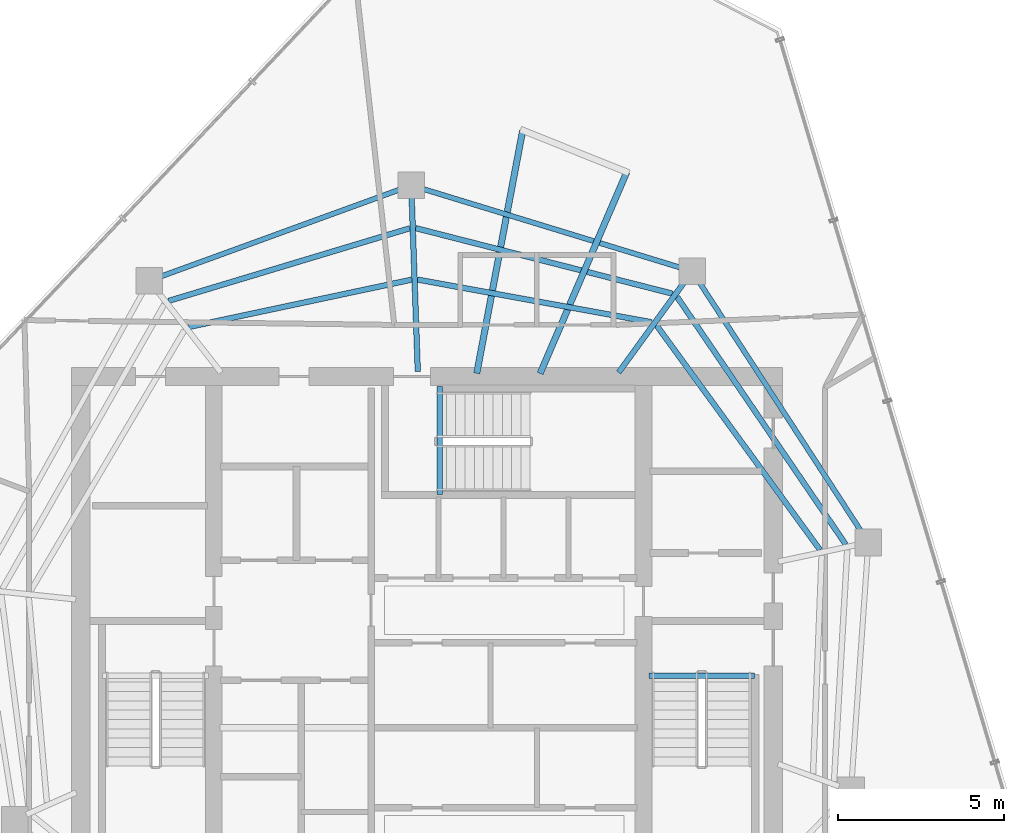
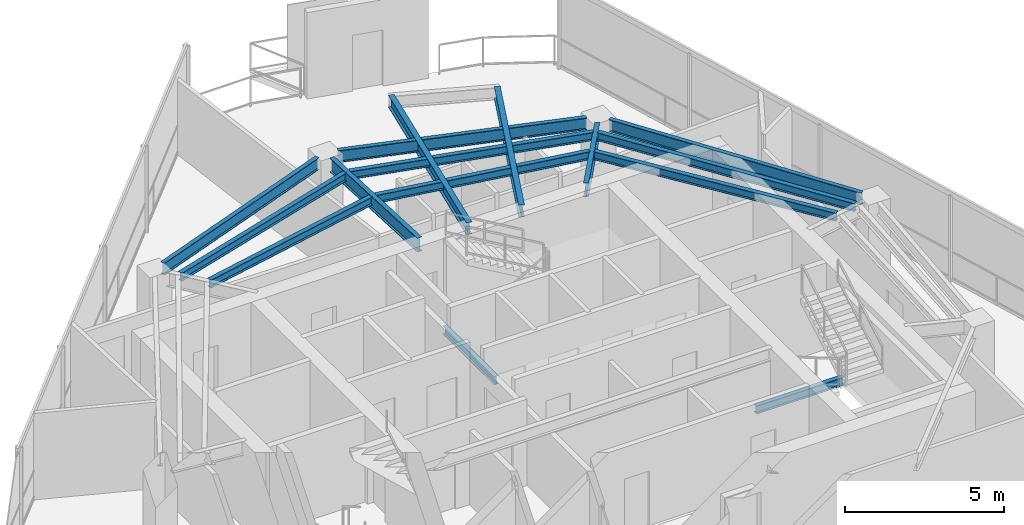
# One storey, part 9 of 18: 15 beams.
"""IFC4 building model written with IfcOpenShell, lengths in metres."""

from ifc_helpers import new_model, si_unit, direction, frame, origin, origin_2d, place, context, subcontext, project, spatial, i_section, extrude, material, material_profile, profile_set, type_object, element, save


model = new_model("IFC4")

# Units and contexts
model_context = context("Model", 3, precision=1e-05, world=origin(), true_north=direction((0.0, 1.0)))
body_context = subcontext(model_context, "Body", "Model", "MODEL_VIEW")
ifc_project = project(units=[si_unit("LENGTHUNIT", "METRE"), si_unit("AREAUNIT", "SQUARE_METRE"), si_unit("VOLUMEUNIT", "CUBIC_METRE"), si_unit("PLANEANGLEUNIT", "RADIAN"), si_unit("MASSUNIT", "GRAM", prefix="KILO")], contexts=[model_context])

# Site, building, storey
site_placement = place(None, origin())
site = spatial("IfcSite", under=ifc_project, at=site_placement, CompositionType="ELEMENT")
building_placement = place(site_placement, origin())
building = spatial("IfcBuilding", under=site, at=building_placement, Name="Qarnah Convention Tower", CompositionType="ELEMENT")
storey_placement = place(building_placement, frame((0.0, 0.0, 242.699951171875)))
storey = spatial("IfcBuildingStorey", under=building, at=storey_placement, Name="L65", CompositionType="ELEMENT", Elevation=242.699951171875)

# Beams
ifc_material = material(Name="Structural steel S355JR", Category="steel")
ifc_material_profile_1 = material_profile(ifc_material, i_section(OverallWidth=0.19189453125, OverallDepth=0.464111328125, WebThickness=0.010986328125, FlangeThickness=0.01806640625, at=origin_2d()), Name="W460X89")
ifc_profile_set_1 = profile_set([ifc_material_profile_1], Name="Structural steel S355JR")
beam_type_1 = type_object("IfcBeamType", Name="BM-CANT-W460A", PredefinedType="BEAM", material=ifc_profile_set_1)
beam_1_placement = place(storey_placement, frame((38.694091796875, 34.298095703125, 3.088134765625), z_axis=(0.185836759901, 0.982580632146, 0.0), x_axis=(-0.982580632146, 0.185836759901, 0.0)))
element("IfcBeam", 1, at=beam_1_placement, inside=storey, type_object=beam_type_1, Name="L65 beam BM-L65-CNT-01-1", PredefinedType="BEAM", context=body_context, shape_type="SweptSolid", body=[
    extrude(i_section(OverallWidth=0.19189453125, OverallDepth=0.464111328125, WebThickness=0.010986328125, FlangeThickness=0.01806640625, at=origin_2d()), origin(), (0.0, 0.0, 1.0), 7.42529296875),
])
beam_2_placement = place(storey_placement, frame((40.596923828125, 34.2919921875, 3.088134765625), z_axis=(0.395203303624, 0.918593679929, 0.0), x_axis=(-0.918593679929, 0.395203303624, 0.0)))
element("IfcBeam", 2, at=beam_2_placement, inside=storey, type_object=beam_type_1, Name="L65 beam BM-L65-CNT-01-2", PredefinedType="BEAM", context=body_context, shape_type="SweptSolid", body=[
    extrude(i_section(OverallWidth=0.19189453125, OverallDepth=0.464111328125, WebThickness=0.010986328125, FlangeThickness=0.01806640625, at=origin_2d()), origin(), (0.0, 0.0, 1.0), 6.583984375),
])
ifc_material_profile_2 = material_profile(ifc_material, i_section(OverallWidth=0.166015625, OverallDepth=0.31201171875, WebThickness=0.007080078125, FlangeThickness=0.010986328125, at=origin_2d()), Name="W310X45")
ifc_profile_set_2 = profile_set([ifc_material_profile_2], Name="Structural steel S355JR")
beam_type_2 = type_object("IfcBeamType", Name="BM-JST-W310", PredefinedType="JOIST", material=ifc_profile_set_2)
beam_3_placement = place(storey_placement, frame((43.860107421875, 25.217041015625, -0.156005859375), z_axis=(1.0, 0.0, 0.0), x_axis=(0.0, 1.0, 0.0)))
element("IfcBeam", 3, at=beam_3_placement, inside=storey, type_object=beam_type_2, Name="L65 stair landing trimmer beam BM-L65-ST2-TRM", PredefinedType="BEAM", context=body_context, shape_type="SweptSolid", body=[
    extrude(i_section(OverallWidth=0.166015625, OverallDepth=0.31201171875, WebThickness=0.007080078125, FlangeThickness=0.010986328125, at=origin_2d()), origin(), (0.0, 0.0, 1.0), 3.179931640625),
])
beam_4_placement = place(storey_placement, frame((37.5830078125, 30.659912109375, -0.156005859375), z_axis=(0.0, 1.0, 0.0), x_axis=(-1.0, 0.0, 0.0)))
element("IfcBeam", 4, at=beam_4_placement, inside=storey, type_object=beam_type_2, Name="L65 stair landing trimmer beam BM-L65-ST3-TRM", PredefinedType="BEAM", context=body_context, shape_type="SweptSolid", body=[
    extrude(i_section(OverallWidth=0.166015625, OverallDepth=0.31201171875, WebThickness=0.007080078125, FlangeThickness=0.010986328125, at=origin_2d()), origin(), (0.0, 0.0, 1.0), 3.239990234375),
])
beam_5_placement = place(storey_placement, frame((49.77490234375, 29.156982421875, 3.1640625), z_axis=(-0.563001631712, 0.826455783869, 0.0), x_axis=(-0.826455783869, -0.563001631712, 0.0)))
element("IfcBeam", 5, at=beam_5_placement, inside=storey, type_object=beam_type_2, Name="L65 joist BM-L65-SJST-01", PredefinedType="JOIST", context=body_context, shape_type="SweptSolid", body=[
    extrude(i_section(OverallWidth=0.166015625, OverallDepth=0.31201171875, WebThickness=0.007080078125, FlangeThickness=0.010986328125, at=origin_2d()), origin(), (0.0, 0.0, 1.0), 8.996337890625),
])
beam_6_placement = place(storey_placement, frame((44.572021484375, 36.68798828125, 3.1640625), z_axis=(-0.968934754796, 0.247316479331, 0.0), x_axis=(-0.247316479331, -0.968934754796, 0.0)))
element("IfcBeam", 6, at=beam_6_placement, inside=storey, type_object=beam_type_2, Name="L65 joist BM-L65-SJST-02", PredefinedType="JOIST", context=body_context, shape_type="SweptSolid", body=[
    extrude(i_section(OverallWidth=0.166015625, OverallDepth=0.31201171875, WebThickness=0.007080078125, FlangeThickness=0.010986328125, at=origin_2d()), origin(), (0.0, 0.0, 1.0), 7.96142578125),
])
beam_7_placement = place(storey_placement, frame((36.68505859375, 38.653076171875, 3.1640625), z_axis=(-0.957523859176, -0.288354051661, 0.0), x_axis=(0.288354051661, -0.957523859176, 0.0)))
element("IfcBeam", 7, at=beam_7_placement, inside=storey, type_object=beam_type_2, Name="L65 joist BM-L65-SJST-03", PredefinedType="JOIST", context=body_context, shape_type="SweptSolid", body=[
    extrude(i_section(OverallWidth=0.166015625, OverallDepth=0.31201171875, WebThickness=0.007080078125, FlangeThickness=0.010986328125, at=origin_2d()), origin(), (0.0, 0.0, 1.0), 7.567626953125),
])
beam_8_placement = place(storey_placement, frame((49.0029296875, 28.992919921875, 3.1640625), z_axis=(-0.588556041219, 0.808456422045, 0.0), x_axis=(-0.808456422045, -0.588556041219, 0.0)))
element("IfcBeam", 8, at=beam_8_placement, inside=storey, type_object=beam_type_2, Name="L65 joist BM-L65-IJST-01", PredefinedType="JOIST", context=body_context, shape_type="SweptSolid", body=[
    extrude(i_section(OverallWidth=0.166015625, OverallDepth=0.31201171875, WebThickness=0.007080078125, FlangeThickness=0.010986328125, at=origin_2d()), origin(), (0.0, 0.0, 1.0), 8.345703125),
])
beam_9_placement = place(storey_placement, frame((43.948974609375, 35.8291015625, 3.1640625), z_axis=(-0.983774174693, 0.179411184731, 0.0), x_axis=(-0.179411184731, -0.983774174693, 0.0)))
element("IfcBeam", 9, at=beam_9_placement, inside=storey, type_object=beam_type_2, Name="L65 joist BM-L65-IJST-02", PredefinedType="JOIST", context=body_context, shape_type="SweptSolid", body=[
    extrude(i_section(OverallWidth=0.166015625, OverallDepth=0.31201171875, WebThickness=0.007080078125, FlangeThickness=0.010986328125, at=origin_2d()), origin(), (0.0, 0.0, 1.0), 7.15087890625),
])
beam_10_placement = place(storey_placement, frame((36.737060546875, 37.10888671875, 3.1640625), z_axis=(-0.978144875608, -0.207924511115, 0.0), x_axis=(0.207924511115, -0.978144875608, 0.0)))
element("IfcBeam", 10, at=beam_10_placement, inside=storey, type_object=beam_type_2, Name="L65 joist BM-L65-IJST-03", PredefinedType="JOIST", context=body_context, shape_type="SweptSolid", body=[
    extrude(i_section(OverallWidth=0.166015625, OverallDepth=0.31201171875, WebThickness=0.007080078125, FlangeThickness=0.010986328125, at=origin_2d()), origin(), (0.0, 0.0, 1.0), 6.83837890625),
])
ifc_material_profile_3 = material_profile(ifc_material, i_section(OverallWidth=0.166015625, OverallDepth=0.535888671875, WebThickness=0.010009765625, FlangeThickness=0.01708984375, at=origin_2d()), Name="W530X85")
ifc_profile_set_3 = profile_set([ifc_material_profile_3], Name="Structural steel S355JR")
beam_type_3 = type_object("IfcBeamType", Name="BM-RAD-W530B", PredefinedType="BEAM", material=ifc_profile_set_3)
beam_11_placement = place(storey_placement, frame((42.955078125, 34.321044921875, 3.052001953125), z_axis=(0.587699029113, 0.809079632162, 0.0), x_axis=(-0.809079632162, 0.587699029113, 0.0)))
element("IfcBeam", 11, at=beam_11_placement, inside=storey, type_object=beam_type_3, Name="L65 beam BM-L65-RAD-02", PredefinedType="BEAM", context=body_context, shape_type="SweptSolid", body=[
    extrude(i_section(OverallWidth=0.166015625, OverallDepth=0.535888671875, WebThickness=0.010009765625, FlangeThickness=0.01708984375, at=origin_2d()), origin(), (0.0, 0.0, 1.0), 3.37890625),
])
beam_12_placement = place(storey_placement, frame((36.923095703125, 34.35009765625, 3.052001953125), z_axis=(-0.035110435588, 0.999383438582, 0.0), x_axis=(-0.999383438582, -0.035110435588, 0.0)))
element("IfcBeam", 12, at=beam_12_placement, inside=storey, type_object=beam_type_3, Name="L65 beam BM-L65-RAD-03", PredefinedType="BEAM", context=body_context, shape_type="SweptSolid", body=[
    extrude(i_section(OverallWidth=0.166015625, OverallDepth=0.535888671875, WebThickness=0.010009765625, FlangeThickness=0.01708984375, at=origin_2d()), origin(), (0.0, 0.0, 1.0), 5.215087890625),
])
ifc_material_profile_4 = material_profile(ifc_material, i_section(OverallWidth=0.154052734375, OverallDepth=0.4599609375, WebThickness=0.009033203125, FlangeThickness=0.014892578125, at=origin_2d()), Name="W460X68")
ifc_profile_set_4 = profile_set([ifc_material_profile_4], Name="Structural steel S355JR")
beam_type_4 = type_object("IfcBeamType", Name="BM-SPN-W460B", PredefinedType="SPANDREL", material=ifc_profile_set_4)
beam_13_placement = place(storey_placement, frame((50.241943359375, 29.5439453125, 3.090087890625), z_axis=(-0.544739511184, 0.838605309401, 0.0), x_axis=(-0.838605309401, -0.544739511184, 0.0)))
element("IfcBeam", 13, at=beam_13_placement, inside=storey, type_object=beam_type_4, Name="L65 spandrel BM-L65-SPN-01", PredefinedType="SPANDREL", context=body_context, shape_type="SweptSolid", body=[
    extrude(i_section(OverallWidth=0.154052734375, OverallDepth=0.4599609375, WebThickness=0.009033203125, FlangeThickness=0.014892578125, at=origin_2d()), origin(), (0.0, 0.0, 1.0), 8.9326171875),
])
beam_14_placement = place(storey_placement, frame((44.791015625, 37.47607421875, 3.090087890625), z_axis=(-0.95628886523, 0.292423675918, 0.0), x_axis=(-0.292423675918, -0.95628886523, 0.0)))
element("IfcBeam", 14, at=beam_14_placement, inside=storey, type_object=beam_type_4, Name="L65 spandrel BM-L65-SPN-02", PredefinedType="SPANDREL", context=body_context, shape_type="SweptSolid", body=[
    extrude(i_section(OverallWidth=0.154052734375, OverallDepth=0.4599609375, WebThickness=0.009033203125, FlangeThickness=0.014892578125, at=origin_2d()), origin(), (0.0, 0.0, 1.0), 8.04248046875),
])
beam_15_placement = place(storey_placement, frame((36.361083984375, 39.80908203125, 3.090087890625), z_axis=(-0.939671356419, -0.342078561044, 0.0), x_axis=(0.342078561044, -0.939671356419, 0.0)))
element("IfcBeam", 15, at=beam_15_placement, inside=storey, type_object=beam_type_4, Name="L65 spandrel BM-L65-SPN-03", PredefinedType="SPANDREL", context=body_context, shape_type="SweptSolid", body=[
    extrude(i_section(OverallWidth=0.154052734375, OverallDepth=0.4599609375, WebThickness=0.009033203125, FlangeThickness=0.014892578125, at=origin_2d()), origin(), (0.0, 0.0, 1.0), 7.59521484375),
])

save(model, "model.ifc")
